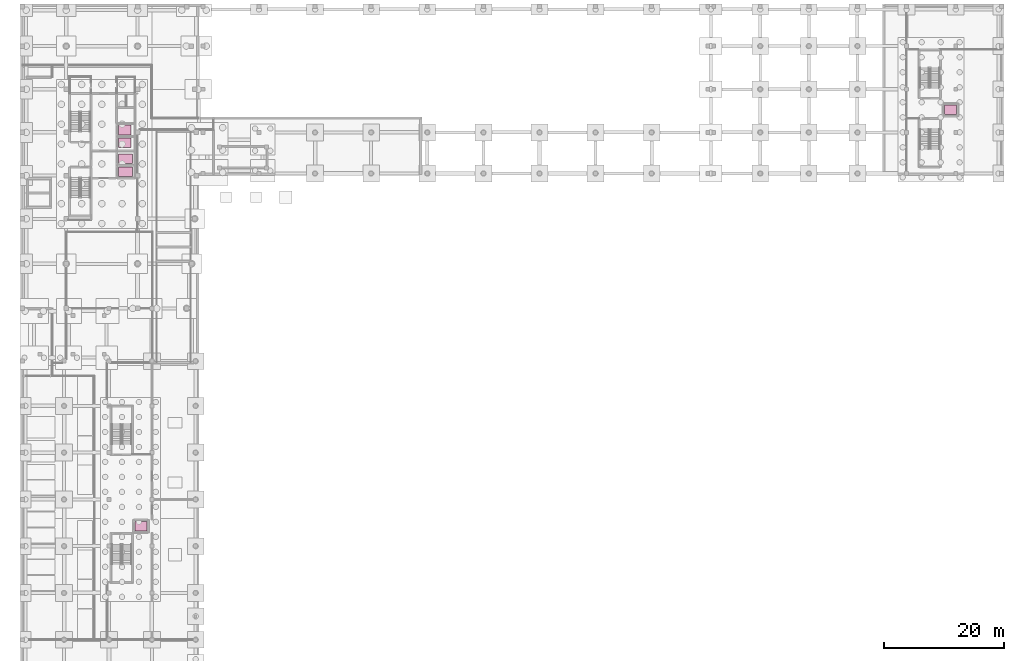
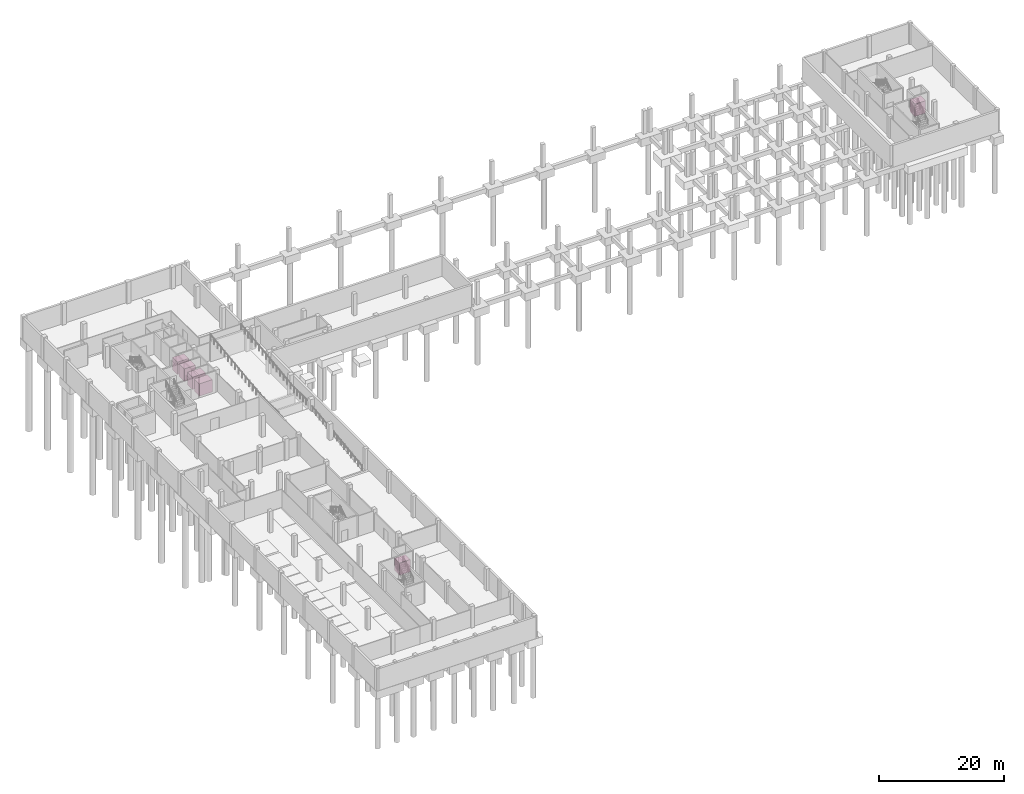
# One storey, part 21 of 21: 6 transport elements.
"""IFC4 building model written with IfcOpenShell, lengths in metres."""

from ifc_helpers import new_model, si_unit, direction, frame, origin, origin_2d, place, context, subcontext, project, spatial, rectangle, extrude, material, type_object, element, save


model = new_model("IFC4")

# Units and contexts
model_context = context("Model", 3, precision=1e-05, world=origin(), true_north=direction((0.0, 1.0)))
body_context = subcontext(model_context, "Body", "Model", "MODEL_VIEW")
ifc_project = project(units=[si_unit("LENGTHUNIT", "METRE"), si_unit("AREAUNIT", "SQUARE_METRE"), si_unit("VOLUMEUNIT", "CUBIC_METRE"), si_unit("PLANEANGLEUNIT", "RADIAN"), si_unit("MASSUNIT", "GRAM", prefix="KILO")], contexts=[model_context])

# Site, building, storey
site_placement = place(None, origin())
site = spatial("IfcSite", under=ifc_project, at=site_placement, CompositionType="ELEMENT")
building_placement = place(site_placement, origin())
building = spatial("IfcBuilding", under=site, at=building_placement, Name="Quillay Park Conservatory", CompositionType="ELEMENT")
storey_placement = place(building_placement, frame((0.0, 0.0, -8.39990234375)))
storey = spatial("IfcBuildingStorey", under=building, at=storey_placement, Name="B2", CompositionType="ELEMENT", Elevation=-8.39990234375)

# Transport elements
ifc_material_1 = material(Name="Steel ASTM A572 Grade 50", Category="steel")
transport_element_type_1 = type_object("IfcTransportElementType", Name="FIREFIGHTING STRETCHER LIFT 1600 KG", PredefinedType="ELEVATOR", material=ifc_material_1)
for number, where, z_axis, x_axis, name in (
    (1, (17.75, 85.85009765625, 0.0), (0.0, 0.0, 1.0), (1.0, 0.0, 0.0), "Tower Firefighting Lift LF-FF1"),
    (2, (17.75, 88.0, 0.0), (0.0, 0.0, 1.0), (1.0, 0.0, 0.0), "Tower Firefighting Lift LF-FF2"),
):
    element("IfcTransportElement", number, at=place(storey_placement, frame(where, z_axis=z_axis, x_axis=x_axis)), inside=storey, type_object=transport_element_type_1, Name=name, PredefinedType="ELEVATOR", context=body_context, shape_type="SweptSolid", body=[
        extrude(rectangle(XDim=2.39990234375, YDim=1.60009765625, at=origin_2d()), origin(), (0.0, 0.0, 1.0), 2.39990234375),
    ])
ifc_material_2 = material(Name="Steel ASTM A572 Grade 50", Category="steel")
transport_element_type_2 = type_object("IfcTransportElementType", Name="TOWER PASSENGER LIFT 1350 KG", PredefinedType="ELEVATOR", material=ifc_material_2)
for number, where, z_axis, x_axis, name in (
    (3, (17.60009765625, 90.64990234375, 0.0), (0.0, 0.0, 1.0), (1.0, 0.0, 0.0), "Tower Passenger Lift LF-P1"),
    (4, (17.60009765625, 92.800048828125, 0.0), (0.0, 0.0, 1.0), (1.0, 0.0, 0.0), "Tower Passenger Lift LF-P2"),
):
    element("IfcTransportElement", number, at=place(storey_placement, frame(where, z_axis=z_axis, x_axis=x_axis)), inside=storey, type_object=transport_element_type_2, Name=name, PredefinedType="ELEVATOR", context=body_context, shape_type="SweptSolid", body=[
        extrude(rectangle(XDim=2.10009765625, YDim=1.60009765625, at=origin_2d()), origin(), (0.0, 0.0, 1.0), 2.39990234375),
    ])
ifc_material_3 = material(Name="Steel ASTM A572 Grade 50", Category="steel")
transport_element_type_3 = type_object("IfcTransportElementType", Name="VISITOR ACCESSIBLE LIFT 1275 KG", PredefinedType="ELEVATOR", material=ifc_material_3)
for number, where, z_axis, x_axis, name in (
    (5, (20.300048828125, 26.75, 0.0), (0.0, 0.0, 1.0), (1.0, 0.0, 0.0), "Visitor Centre Accessible Lift LF-V1"),
    (6, (155.300048828125, 96.14990234375, 0.0), (0.0, 0.0, 1.0), (1.0, 0.0, 0.0), "Auditorium & Conservatory Accessible Lift LF-A1"),
):
    element("IfcTransportElement", number, at=place(storey_placement, frame(where, z_axis=z_axis, x_axis=x_axis)), inside=storey, type_object=transport_element_type_3, Name=name, PredefinedType="ELEVATOR", context=body_context, shape_type="SweptSolid", body=[
        extrude(rectangle(XDim=2.0, YDim=1.60009765625, at=origin_2d()), origin(), (0.0, 0.0, 1.0), 2.39990234375),
    ])

save(model, "model.ifc")
